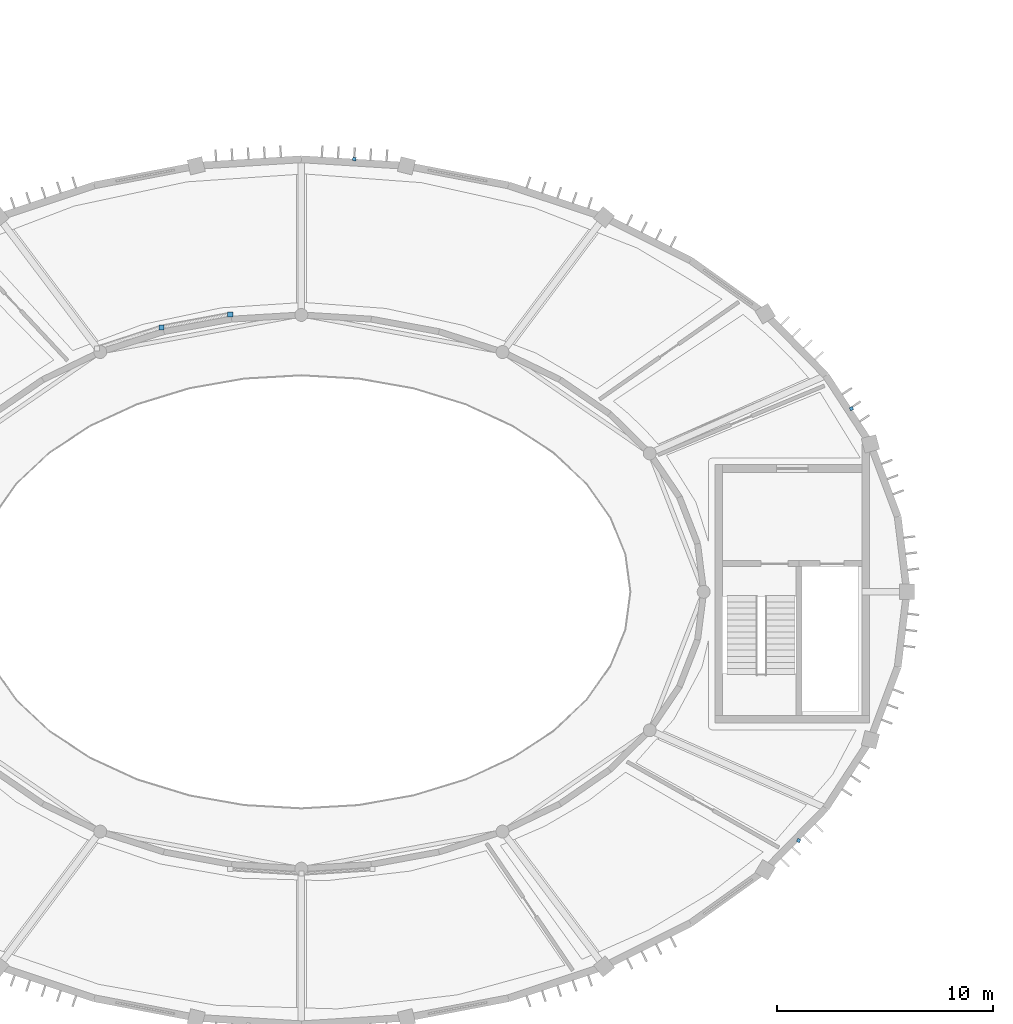
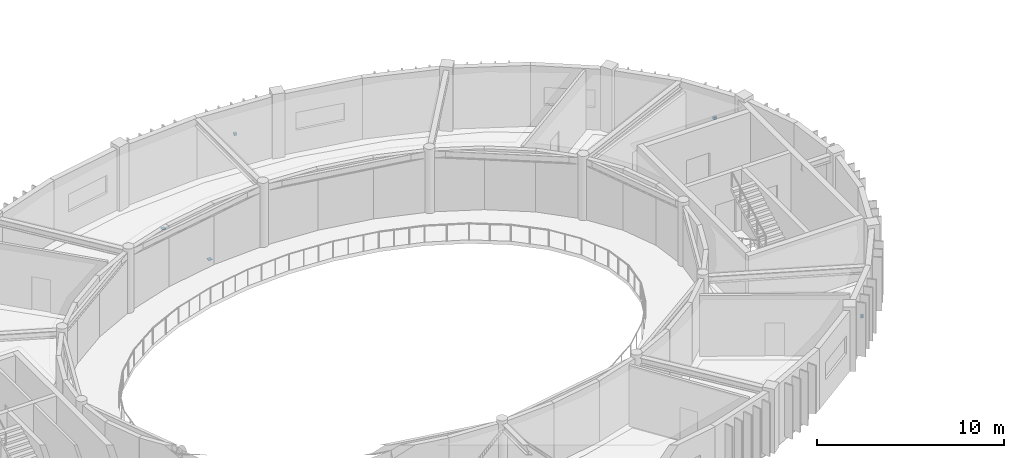
# One storey, part 23 of 29: 5 discrete accessories.
"""IFC4 building model written with IfcOpenShell, lengths in metres."""

from ifc_helpers import new_model, si_unit, direction, frame, origin, origin_2d, place, context, subcontext, project, spatial, rectangle, extrude, material, type_object, element, save


model = new_model("IFC4")

# Units and contexts
model_context = context("Model", 3, precision=1e-05, world=origin(), true_north=direction((0.0, 1.0)))
body_context = subcontext(model_context, "Body", "Model", "MODEL_VIEW")
ifc_project = project(units=[si_unit("LENGTHUNIT", "METRE"), si_unit("AREAUNIT", "SQUARE_METRE"), si_unit("VOLUMEUNIT", "CUBIC_METRE"), si_unit("PLANEANGLEUNIT", "RADIAN"), si_unit("MASSUNIT", "GRAM", prefix="KILO")], contexts=[model_context])

# Site, building, storey
site_placement = place(None, origin())
site = spatial("IfcSite", under=ifc_project, at=site_placement, CompositionType="ELEMENT")
building_placement = place(site_placement, origin())
building = spatial("IfcBuilding", under=site, at=building_placement, Name="Tarnveldt Headland Concert Hall", CompositionType="ELEMENT")
storey_placement = place(building_placement, frame((0.0, 0.0, 18.60009765625)))
storey = spatial("IfcBuildingStorey", under=building, at=storey_placement, Name="L04", CompositionType="ELEMENT", Elevation=18.60009765625)

# Discrete accessories
ifc_material_1 = material(Name="Marine stainless steel", Category="steel")
discrete_accessory_type_1 = type_object("IfcDiscreteAccessoryType", Name="BRK-FIN01", PredefinedType="BRACKET", material=ifc_material_1)
for number, where, z_axis, x_axis, name in (
    (1, (108.931884765625, 62.970703125, 1.919921875), (0.0, 0.0, 1.0), (0.948765771538, 0.315980237922, 0.0), "Facade fin stainless bracket 1"),
    (2, (85.950439453125, 74.5068359375, 1.919921875), (0.0, 0.0, 1.0), (0.121522872021, 0.992588631597, 0.0), "Facade fin stainless bracket 2"),
    (3, (106.491943359375, 43.00048828125, 1.919921875), (0.0, 0.0, 1.0), (0.89438856037, -0.447290848419, 0.0), "Facade fin stainless bracket 6"),
):
    element("IfcDiscreteAccessory", number, at=place(storey_placement, frame(where, z_axis=z_axis, x_axis=x_axis)), inside=storey, type_object=discrete_accessory_type_1, Name=name, PredefinedType="BRACKET", context=body_context, shape_type="SweptSolid", body=[
        extrude(rectangle(XDim=0.159912109375, YDim=0.159912109375, at=origin_2d()), origin(), (0.0, 0.0, 1.0), 0.159912109375),
    ])
ifc_material_2 = material(Name="Steel S355", Category="steel")
discrete_accessory_type_2 = type_object("IfcDiscreteAccessoryType", Name="DA-GUS25", PredefinedType="BRACKET", material=ifc_material_2)
for number, where, z_axis, x_axis, name in (
    (4, (80.215576171875, 67.318603515625, 0.16748046875), (0.0, 0.0, 1.0), (1.0, 0.0, 0.0), "Bolted brace gusset connection 42"),
    (5, (77.035400390625, 66.72265625, 3.6474609375), (0.0, 0.0, 1.0), (1.0, 0.0, 0.0), "Bolted brace gusset connection 44"),
):
    element("IfcDiscreteAccessory", number, at=place(storey_placement, frame(where, z_axis=z_axis, x_axis=x_axis)), inside=storey, type_object=discrete_accessory_type_2, Name=name, PredefinedType="BRACKET", context=body_context, shape_type="SweptSolid", body=[
        extrude(rectangle(XDim=0.239990234375, YDim=0.239990234375, at=origin_2d()), origin(), (0.0, 0.0, 1.0), 0.02490234375),
    ])

save(model, "model.ifc")
